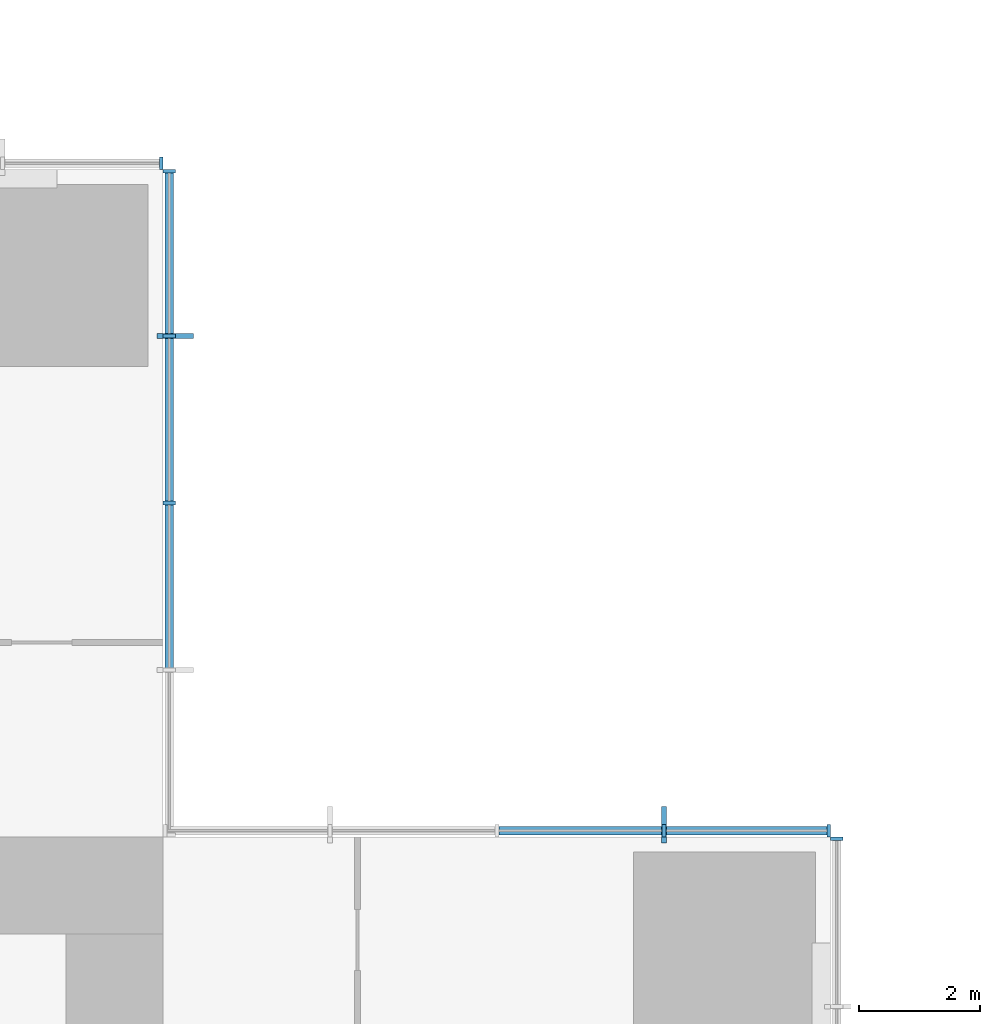
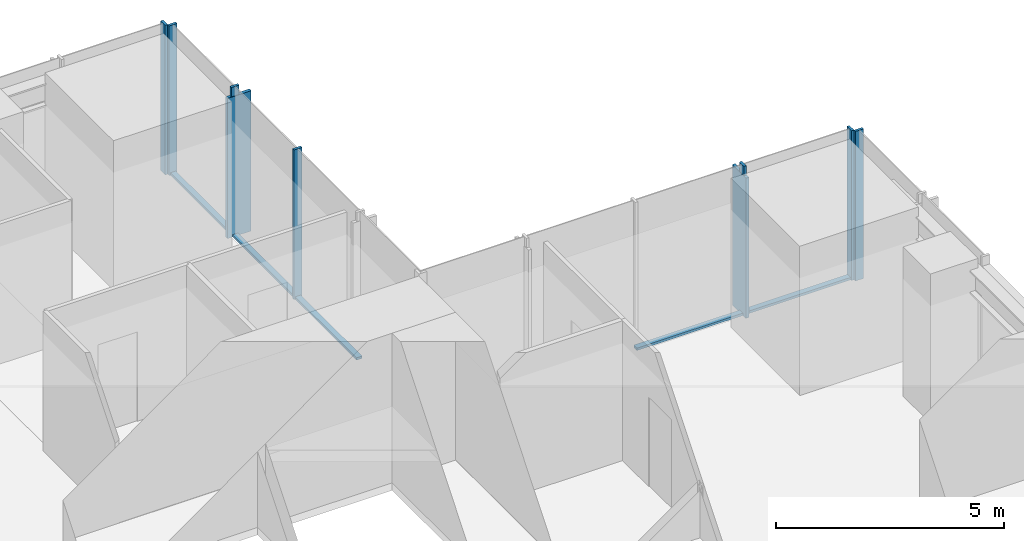
# One storey, part 6 of 13: 14 members, 4 elements without a shape of their own.
"""IFC4 building model written with IfcOpenShell, lengths in metres."""

from ifc_helpers import new_model, si_unit, direction, frame, origin, origin_2d, place, context, subcontext, project, spatial, rectangle, extrude, material, material_profile, profile_set, type_object, element, aggregate, save


model = new_model("IFC4")

# Units and contexts
model_context = context("Model", 3, precision=1e-05, world=origin(), true_north=direction((0.0, 1.0)))
body_context = subcontext(model_context, "Body", "Model", "MODEL_VIEW")
ifc_project = project(units=[si_unit("LENGTHUNIT", "METRE"), si_unit("AREAUNIT", "SQUARE_METRE"), si_unit("VOLUMEUNIT", "CUBIC_METRE"), si_unit("PLANEANGLEUNIT", "RADIAN"), si_unit("MASSUNIT", "GRAM", prefix="KILO")], contexts=[model_context])

# Site, building, storey
site_placement = place(None, origin())
site = spatial("IfcSite", under=ifc_project, at=site_placement, CompositionType="ELEMENT")
building_placement = place(site_placement, origin())
building = spatial("IfcBuilding", under=site, at=building_placement, Name="Svetlomir Tower", CompositionType="ELEMENT")
storey_placement = place(building_placement, frame((0.0, 0.0, 124.5)))
storey = spatial("IfcBuildingStorey", under=building, at=storey_placement, Name="L29", CompositionType="ELEMENT", Elevation=124.5)

# Curtain wall, member
ifc_material_1 = material(Name="Bronze anodised aluminium curtain wall", Category="aluminium")
curtain_wall_type = type_object("IfcCurtainWallType", Name="CURTAIN WALL CW1 TOWER OFFICE", PredefinedType="NOTDEFINED", material=ifc_material_1)
curtain_wall_1_placement = place(storey_placement, origin())
curtain_wall_1 = element("IfcCurtainWall", 1, at=curtain_wall_1_placement, inside=storey, type_object=curtain_wall_type, Name="Curtain wall CW1 L29", PredefinedType="NOTDEFINED")
ifc_material_2 = material(Name="Bronze anodised aluminium", Category="aluminium")
ifc_material_profile_1 = material_profile(ifc_material_2, rectangle(XDim=0.080078125, YDim=0.60009765625, at=origin_2d()), Name="FIN 80x600")
ifc_profile_set_1 = profile_set([ifc_material_profile_1], Name="Bronze anodised aluminium 6063-T6")
member_type_1 = type_object("IfcMemberType", Name="BRONZE FIN 80x600", PredefinedType="USERDEFINED", material=ifc_profile_set_1)
member_1_placement = place(storey_placement, frame((39.25, 31.199951171875, 0.0), z_axis=(0.0, 0.0, 1.0), x_axis=(1.0, 0.0, 0.0)))
member_1 = element("IfcMember", 2, at=member_1_placement, type_object=member_type_1, Name="Bronze fin L29", ObjectType="FIN", PredefinedType="USERDEFINED", context=body_context, shape_type="SweptSolid", body=[
    extrude(rectangle(XDim=0.080078125, YDim=0.60009765625, at=origin_2d()), origin(), (0.0, 0.0, 1.0), 3.75),
])

curtain_wall_2_placement = place(storey_placement, origin())
curtain_wall_2 = element("IfcCurtainWall", 3, at=curtain_wall_2_placement, inside=storey, type_object=curtain_wall_type, Name="Curtain wall CW1 L29", PredefinedType="NOTDEFINED")
member_2_placement = place(storey_placement, frame((31.199951171875, 39.25, 0.0), z_axis=(0.0, 0.0, 1.0), x_axis=(0.0, 1.0, 0.0)))
member_2 = element("IfcMember", 4, at=member_2_placement, type_object=member_type_1, Name="Bronze fin L29", ObjectType="FIN", PredefinedType="USERDEFINED", context=body_context, shape_type="SweptSolid", body=[
    extrude(rectangle(XDim=0.080078125, YDim=0.60009765625, at=origin_2d()), origin(), (0.0, 0.0, 1.0), 3.75),
])

curtain_wall_3_placement = place(storey_placement, origin())
curtain_wall_3 = element("IfcCurtainWall", 5, at=curtain_wall_3_placement, inside=storey, type_object=curtain_wall_type, Name="Curtain wall CW1 L29", PredefinedType="NOTDEFINED")
ifc_material_3 = material(Name="Bronze anodised aluminium", Category="aluminium")
ifc_material_profile_2 = material_profile(ifc_material_3, rectangle(XDim=0.06494140625, YDim=0.199951171875, at=origin_2d()), Name="AL 65x200")
ifc_profile_set_2 = profile_set([ifc_material_profile_2], Name="Bronze anodised aluminium 6063-T6")
member_type_2 = type_object("IfcMemberType", Name="CW1 MULLION 65x200", PredefinedType="MULLION", material=ifc_profile_set_2)
member_3_placement = place(storey_placement, frame((42.10009765625, 30.967529296875, 0.0), z_axis=(0.0, 0.0, 1.0), x_axis=(0.0, 1.0, 0.0)))
member_3 = element("IfcMember", 6, at=member_3_placement, type_object=member_type_2, Name="CW1 mullion 3", PredefinedType="MULLION", context=body_context, shape_type="SweptSolid", body=[
    extrude(rectangle(XDim=0.06494140625, YDim=0.199951171875, at=origin_2d()), origin(), (0.0, 0.0, 1.0), 4.0),
])
aggregate(curtain_wall_3, [member_3])

# Member
member_4_placement = place(storey_placement, frame((41.967529296875, 31.10009765625, 0.0), z_axis=(0.0, 0.0, 1.0), x_axis=(-1.0, 0.0, 0.0)))
member_4 = element("IfcMember", 7, at=member_4_placement, type_object=member_type_2, Name="CW1 mullion 1", PredefinedType="MULLION", context=body_context, shape_type="SweptSolid", body=[
    extrude(rectangle(XDim=0.06494140625, YDim=0.199951171875, at=origin_2d()), origin(), (0.0, 0.0, 1.0), 4.0),
])

member_5_placement = place(storey_placement, frame((39.25, 31.10009765625, 0.0), z_axis=(0.0, 0.0, 1.0), x_axis=(-1.0, 0.0, 0.0)))
member_5 = element("IfcMember", 8, at=member_5_placement, type_object=member_type_2, Name="CW1 mullion 2", PredefinedType="MULLION", context=body_context, shape_type="SweptSolid", body=[
    extrude(rectangle(XDim=0.06494140625, YDim=0.199951171875, at=origin_2d()), origin(), (0.0, 0.0, 1.0), 4.0),
])

member_6_placement = place(storey_placement, frame((31.10009765625, 36.5, 0.0), z_axis=(0.0, 0.0, 1.0), x_axis=(0.0, 1.0, 0.0)))
member_6 = element("IfcMember", 9, at=member_6_placement, type_object=member_type_2, Name="CW1 mullion 3", PredefinedType="MULLION", context=body_context, shape_type="SweptSolid", body=[
    extrude(rectangle(XDim=0.06494140625, YDim=0.199951171875, at=origin_2d()), origin(), (0.0, 0.0, 1.0), 4.0),
])

member_7_placement = place(storey_placement, frame((31.10009765625, 39.25, 0.0), z_axis=(0.0, 0.0, 1.0), x_axis=(0.0, 1.0, 0.0)))
member_7 = element("IfcMember", 10, at=member_7_placement, type_object=member_type_2, Name="CW1 mullion 4", PredefinedType="MULLION", context=body_context, shape_type="SweptSolid", body=[
    extrude(rectangle(XDim=0.06494140625, YDim=0.199951171875, at=origin_2d()), origin(), (0.0, 0.0, 1.0), 4.0),
])

member_8_placement = place(storey_placement, frame((31.10009765625, 41.967529296875, 0.0), z_axis=(0.0, 0.0, 1.0), x_axis=(0.0, 1.0, 0.0)))
member_8 = element("IfcMember", 11, at=member_8_placement, type_object=member_type_2, Name="CW1 mullion 5", PredefinedType="MULLION", context=body_context, shape_type="SweptSolid", body=[
    extrude(rectangle(XDim=0.06494140625, YDim=0.199951171875, at=origin_2d()), origin(), (0.0, 0.0, 1.0), 4.0),
])

# Curtain wall, member
curtain_wall_4_placement = place(storey_placement, origin())
curtain_wall_4 = element("IfcCurtainWall", 12, at=curtain_wall_4_placement, inside=storey, type_object=curtain_wall_type, Name="Curtain wall CW1 L29", PredefinedType="NOTDEFINED")
member_9_placement = place(storey_placement, frame((30.967529296875, 42.10009765625, 0.0), z_axis=(0.0, 0.0, 1.0), x_axis=(-1.0, 0.0, 0.0)))
member_9 = element("IfcMember", 13, at=member_9_placement, type_object=member_type_2, Name="CW1 mullion 1", PredefinedType="MULLION", context=body_context, shape_type="SweptSolid", body=[
    extrude(rectangle(XDim=0.06494140625, YDim=0.199951171875, at=origin_2d()), origin(), (0.0, 0.0, 1.0), 4.0),
])
aggregate(curtain_wall_4, [member_9])

# Member
ifc_material_4 = material(Name="Bronze anodised aluminium", Category="aluminium")
ifc_material_profile_3 = material_profile(ifc_material_4, rectangle(XDim=0.139892578125, YDim=0.06494140625, at=origin_2d()), Name="AL 140x65")
ifc_profile_set_3 = profile_set([ifc_material_profile_3], Name="Bronze anodised aluminium 6063-T6")
member_type_3 = type_object("IfcMemberType", Name="CW1 TRANSOM 65x140", PredefinedType="USERDEFINED", material=ifc_profile_set_3)
member_10_placement = place(storey_placement, frame((41.93505859375, 31.10009765625, 0.032470703125), z_axis=(-1.0, 0.0, 0.0), x_axis=(0.0, -1.0, 0.0)))
member_10 = element("IfcMember", 14, at=member_10_placement, type_object=member_type_3, Name="CW1 transom 1.1", ObjectType="TRANSOM", PredefinedType="USERDEFINED", context=body_context, shape_type="SweptSolid", body=[
    extrude(rectangle(XDim=0.139892578125, YDim=0.06494140625, at=origin_2d()), origin(), (0.0, 0.0, 1.0), 2.652587890625),
])

member_11_placement = place(storey_placement, frame((39.217529296875, 31.10009765625, 0.032470703125), z_axis=(-1.0, 0.0, 0.0), x_axis=(0.0, -1.0, 0.0)))
member_11 = element("IfcMember", 15, at=member_11_placement, type_object=member_type_3, Name="CW1 transom 2.1", ObjectType="TRANSOM", PredefinedType="USERDEFINED", context=body_context, shape_type="SweptSolid", body=[
    extrude(rectangle(XDim=0.139892578125, YDim=0.06494140625, at=origin_2d()), origin(), (0.0, 0.0, 1.0), 2.68505859375),
])

aggregate(curtain_wall_1, [member_4, member_5, member_10, member_11, member_1])

member_12_placement = place(storey_placement, frame((31.10009765625, 33.782470703125, 0.032470703125), z_axis=(0.0, 1.0, 0.0), x_axis=(-1.0, 0.0, 0.0)))
member_12 = element("IfcMember", 16, at=member_12_placement, type_object=member_type_3, Name="CW1 transom 2.1", ObjectType="TRANSOM", PredefinedType="USERDEFINED", context=body_context, shape_type="SweptSolid", body=[
    extrude(rectangle(XDim=0.139892578125, YDim=0.06494140625, at=origin_2d()), origin(), (0.0, 0.0, 1.0), 2.68505859375),
])

member_13_placement = place(storey_placement, frame((31.10009765625, 36.532470703125, 0.032470703125), z_axis=(0.0, 1.0, 0.0), x_axis=(-1.0, 0.0, 0.0)))
member_13 = element("IfcMember", 17, at=member_13_placement, type_object=member_type_3, Name="CW1 transom 3.1", ObjectType="TRANSOM", PredefinedType="USERDEFINED", context=body_context, shape_type="SweptSolid", body=[
    extrude(rectangle(XDim=0.139892578125, YDim=0.06494140625, at=origin_2d()), origin(), (0.0, 0.0, 1.0), 2.68505859375),
])

member_14_placement = place(storey_placement, frame((31.10009765625, 39.282470703125, 0.032470703125), z_axis=(0.0, 1.0, 0.0), x_axis=(-1.0, 0.0, 0.0)))
member_14 = element("IfcMember", 18, at=member_14_placement, type_object=member_type_3, Name="CW1 transom 4.1", ObjectType="TRANSOM", PredefinedType="USERDEFINED", context=body_context, shape_type="SweptSolid", body=[
    extrude(rectangle(XDim=0.139892578125, YDim=0.06494140625, at=origin_2d()), origin(), (0.0, 0.0, 1.0), 2.652587890625),
])

aggregate(curtain_wall_2, [member_6, member_7, member_8, member_12, member_13, member_14, member_2])

save(model, "model.ifc")
